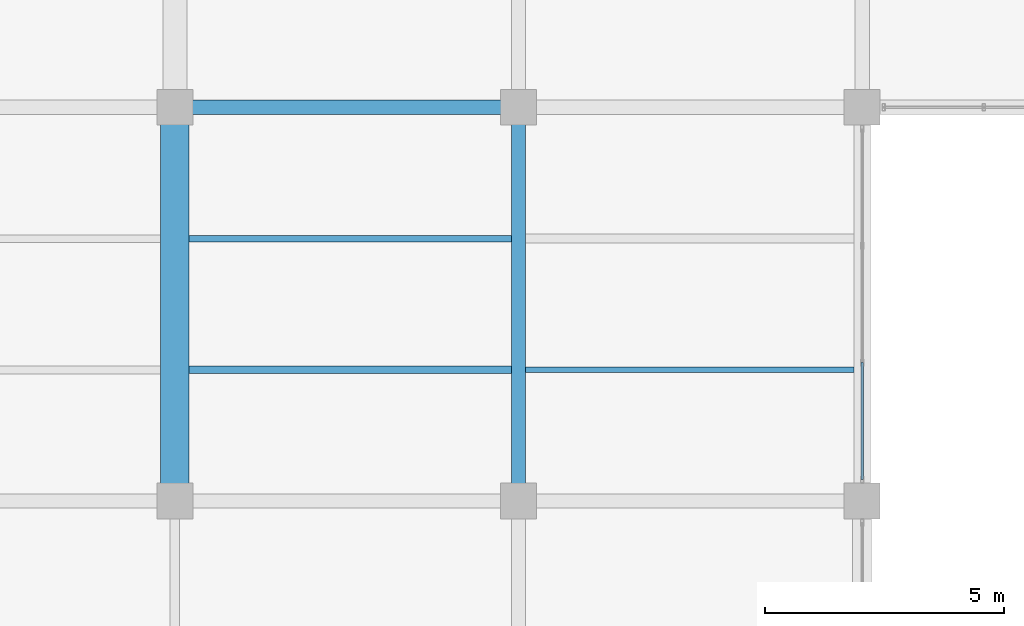
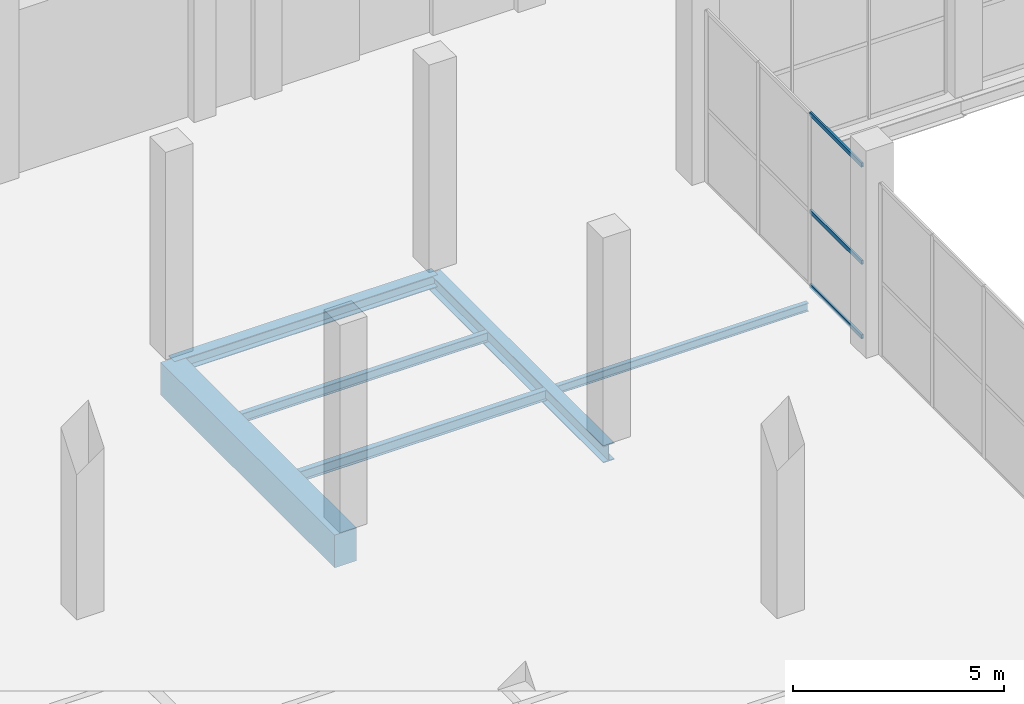
# One storey, part 74 of 144: 6 beams, 3 members, 1 element without a shape of its own.
"""IFC4 building model written with IfcOpenShell, lengths in metres."""

import ifcopenshell
import ifcopenshell.guid

model = None  # the IFC model being written
_history = None  # IfcOwnerHistory: only IFC2X3 demands one
_inside = {}  # id of a spatial element -> (the spatial element, [elements in it])
_under = {}  # id of a project, library or spatial element -> (it, [spatial elements below it])
_declared = {}  # id of a project -> (the project, [libraries it declares])
_typed = {}  # id of a type object -> (the type object, [elements of that type])
_made_of = {}  # id of a material, layer set ... -> (it, [elements and type objects made of it])


def new_model(schema):
    """Start an empty IFC model of exactly this schema.

    Asked for "IFC4X3", IfcOpenShell would pick the latest addendum, in which some entities
    have other attributes; the version numbers below select the first issue.
    IFC2X3 requires an IfcOwnerHistory on every rooted entity: one is made here for all.
    """
    global model, _history
    if schema == "IFC4X3":
        model = ifcopenshell.file(schema_version=(4, 3, 0, 0))
    else:
        model = ifcopenshell.file(schema=schema)
    _inside.clear()
    _under.clear()
    _declared.clear()
    _typed.clear()
    _made_of.clear()
    _history = None
    if model.schema == "IFC2X3":
        org = make("IfcOrganization", Name="unknown")
        user = make(
            "IfcPersonAndOrganization",
            ThePerson=make("IfcPerson", FamilyName="unknown"),
            TheOrganization=org,
        )
        app = make(
            "IfcApplication",
            ApplicationDeveloper=org,
            Version="unknown",
            ApplicationFullName="unknown",
            ApplicationIdentifier="unknown",
        )
        _history = make(
            "IfcOwnerHistory",
            OwningUser=user,
            OwningApplication=app,
            ChangeAction="ADDED",
            CreationDate=0,
        )
    return model


def make(cls, **values):
    """One entity of the class cls with the attributes given. An attribute that is None is left unset."""
    return model.create_entity(
        cls, **{name: value for name, value in values.items() if value is not None}
    )


def rooted(cls, **values):
    """An entity with a GlobalId (a new one), such as an element, a storey or a relation."""
    return make(cls, GlobalId=ifcopenshell.guid.new(), OwnerHistory=_history, **values)


def si_unit(unit_type, name, prefix=None):
    """IfcSIUnit, for example si_unit("LENGTHUNIT", "METRE", prefix="MILLI")."""
    return make("IfcSIUnit", UnitType=unit_type, Prefix=prefix, Name=name)


def assignment(units):
    """IfcUnitAssignment: the units of a project."""
    return None if units is None else make("IfcUnitAssignment", Units=units)


def point(xyz):
    """IfcCartesianPoint."""
    return None if xyz is None else make("IfcCartesianPoint", Coordinates=xyz)


def direction(xyz):
    """IfcDirection."""
    return None if xyz is None else make("IfcDirection", DirectionRatios=xyz)


def frame(location, z_axis=None, x_axis=None):
    """IfcAxis2Placement3D, a coordinate frame: its origin and axes. An axis left out is left unset."""
    return make(
        "IfcAxis2Placement3D",
        Location=point(location),
        Axis=direction(z_axis),
        RefDirection=direction(x_axis),
    )


def frame_2d(location, x_axis=None):
    """IfcAxis2Placement2D, a coordinate frame in the plane: its origin and x axis."""
    return make(
        "IfcAxis2Placement2D", Location=point(location), RefDirection=direction(x_axis)
    )


def origin():
    """The frame at (0, 0, 0) with its axes left unset."""
    return frame((0.0, 0.0, 0.0))


def origin_2d():
    """The frame at (0, 0) in the plane with its x axis left unset."""
    return frame_2d((0.0, 0.0))


def place(relative_to, where):
    """IfcLocalPlacement: puts the frame where relative to a parent placement (None: the world)."""
    return make(
        "IfcLocalPlacement", PlacementRelTo=relative_to, RelativePlacement=where
    )


def context(
    kind, dimensions, precision=None, world=None, true_north=None, identifier=None
):
    """IfcGeometricRepresentationContext, for example the 3D "Model" context."""
    return make(
        "IfcGeometricRepresentationContext",
        ContextIdentifier=identifier,
        ContextType=kind,
        CoordinateSpaceDimension=dimensions,
        Precision=precision,
        WorldCoordinateSystem=world,
        TrueNorth=true_north,
    )


def subcontext(parent, identifier, kind, view, scale=None):
    """IfcGeometricRepresentationSubContext, for example "Body" below "Model"."""
    return make(
        "IfcGeometricRepresentationSubContext",
        ContextIdentifier=identifier,
        ContextType=kind,
        ParentContext=parent,
        TargetScale=scale,
        TargetView=view,
    )


def project(units=None, contexts=None):
    """IfcProject with its units and contexts."""
    return rooted(
        "IfcProject",
        Name="project",
        RepresentationContexts=contexts,
        UnitsInContext=assignment(units),
    )


def spatial(cls, under=None, at=None, **own):
    """A site, building, storey or space (cls), placed at a placement, below another one or the project."""
    s = rooted(cls, ObjectPlacement=at, **own)
    if under is not None:
        _under.setdefault(under.id(), (under, []))[1].append(s)
    return s


def profile(cls, at=None, kind="AREA", **sizes):
    """A parametric profile (cls). Its sizes go by their IFC names, for example OverallWidth=200.0."""
    return make(cls, ProfileType=kind, Position=at, **sizes)


def rectangle(**sizes):
    """IfcRectangleProfileDef."""
    return profile("IfcRectangleProfileDef", **sizes)


def hollow_rectangle(**sizes):
    """IfcRectangleHollowProfileDef."""
    return profile("IfcRectangleHollowProfileDef", **sizes)


def i_section(**sizes):
    """IfcIShapeProfileDef."""
    return profile("IfcIShapeProfileDef", **sizes)


def extrude(swept, where, along, depth):
    """IfcExtrudedAreaSolid: the profile swept, set in the frame where, extruded along a direction by depth."""
    return make(
        "IfcExtrudedAreaSolid",
        SweptArea=swept,
        Position=where,
        ExtrudedDirection=direction(along),
        Depth=depth,
    )


def shape(context_of_items, identifier, shape_type, items):
    """IfcShapeRepresentation: the items that make up one representation, for example the "Body"."""
    return make(
        "IfcShapeRepresentation",
        ContextOfItems=context_of_items,
        RepresentationIdentifier=identifier,
        RepresentationType=shape_type,
        Items=items,
    )


def material(Name=None, Category=None):
    """IfcMaterial."""
    return make("IfcMaterial", Name=Name, Category=Category)


def layer(
    of_material, thickness, ventilated=None, Name=None, Category=None, Priority=None
):
    """IfcMaterialLayer: one layer of a wall or slab, of a material (None: an air gap)."""
    return make(
        "IfcMaterialLayer",
        Material=of_material,
        LayerThickness=thickness,
        IsVentilated=ventilated,
        Name=Name,
        Category=Category,
        Priority=Priority,
    )


def layer_set(layers, Name=None):
    """IfcMaterialLayerSet."""
    return make("IfcMaterialLayerSet", MaterialLayers=layers, LayerSetName=Name)


def material_profile(
    of_material, cross_section, Name=None, Category=None, Priority=None
):
    """IfcMaterialProfile: a cross section and its material."""
    return make(
        "IfcMaterialProfile",
        Name=Name,
        Material=of_material,
        Profile=cross_section,
        Priority=Priority,
        Category=Category,
    )


def profile_set(profiles, Name=None, composite=None):
    """IfcMaterialProfileSet."""
    return make(
        "IfcMaterialProfileSet",
        Name=Name,
        MaterialProfiles=profiles,
        CompositeProfile=composite,
    )


def made_of(thing, what):
    """Note that an element or type object is made of a material, layer set ...; save() writes the relation."""
    if what is not None:
        _made_of.setdefault(what.id(), (what, []))[1].append(thing)
    return thing


def type_object(cls, material=None, **own):
    """A type object (cls), such as IfcWallType, which elements share."""
    return made_of(rooted(cls, **own), material)


def element(
    cls,
    number,
    at=None,
    inside=None,
    cuts=None,
    type_object=None,
    material=None,
    context=None,
    identifier="Body",
    shape_type=None,
    held_by="IfcProductDefinitionShape",
    body=None,
    shapes=None,
    **own,
):
    """One element of the class cls, such as IfcWall. Its Tag is "e" and its number.

    at: its placement. inside: the storey or other place that contains it. cuts: it is an
    opening in that element (IfcRelVoidsElement). A single representation is given by context,
    identifier, shape_type and body (its items); several are given by shapes. held_by: the class
    of the entity that holds the representations. save() writes the other relations.
    """
    e = rooted(cls, Tag="e%d" % number, ObjectPlacement=at, **own)
    if body is not None:
        shapes = [shape(context, identifier, shape_type, body)]
    if shapes is not None:
        e.Representation = make(held_by, Representations=shapes)
    if inside is not None:
        _inside.setdefault(inside.id(), (inside, []))[1].append(e)
    if cuts is not None:
        rooted(
            "IfcRelVoidsElement", RelatingBuildingElement=cuts, RelatedOpeningElement=e
        )
    if type_object is not None:
        _typed.setdefault(type_object.id(), (type_object, []))[1].append(e)
    return made_of(e, material)


def aggregate(whole, parts):
    """IfcRelAggregates: a whole, such as a stair, and the parts it consists of."""
    return rooted("IfcRelAggregates", RelatingObject=whole, RelatedObjects=parts)


def save(model, path):
    """Write the relations noted so far, then the file.

    IfcRelAggregates (storeys below a building ...), IfcRelContainedInSpatialStructure (elements
    in a storey), IfcRelDefinesByType, IfcRelAssociatesMaterial and IfcRelDeclares: one each for
    every whole, place, type object, material and project.
    """
    for whole, parts in _under.values():
        aggregate(whole, parts)
    for where, things in _inside.values():
        rooted(
            "IfcRelContainedInSpatialStructure",
            RelatedElements=things,
            RelatingStructure=where,
        )
    for kind, things in _typed.values():
        rooted("IfcRelDefinesByType", RelatedObjects=things, RelatingType=kind)
    for what, things in _made_of.values():
        rooted("IfcRelAssociatesMaterial", RelatedObjects=things, RelatingMaterial=what)
    for by, libraries in _declared.values():
        rooted("IfcRelDeclares", RelatingContext=by, RelatedDefinitions=libraries)
    model.write(path)


model = new_model("IFC4")

# Units and contexts
model_context = context("Model", 3, precision=1e-05, world=origin(), true_north=direction((0.0, 1.0)))
body_context = subcontext(model_context, "Body", "Model", "MODEL_VIEW")
ifc_project = project(units=[si_unit("LENGTHUNIT", "METRE"), si_unit("AREAUNIT", "SQUARE_METRE"), si_unit("VOLUMEUNIT", "CUBIC_METRE"), si_unit("PLANEANGLEUNIT", "RADIAN"), si_unit("MASSUNIT", "GRAM", prefix="KILO")], contexts=[model_context])

# Site, building, storey
site_placement = place(None, origin())
site = spatial("IfcSite", under=ifc_project, at=site_placement, CompositionType="ELEMENT")
building_placement = place(site_placement, origin())
building = spatial("IfcBuilding", under=site, at=building_placement, Name="Sundgate Opera House", CompositionType="ELEMENT")
storey_placement = place(building_placement, origin())
storey = spatial("IfcBuildingStorey", under=building, at=storey_placement, Name="L00", CompositionType="ELEMENT", Elevation=0.0)

# Beams
ifc_material_1 = material(Name="Steel S355J2", Category="steel")
ifc_material_profile_1 = material_profile(ifc_material_1, i_section(OverallWidth=0.300048828125, OverallDepth=0.489990234375, WebThickness=0.011962890625, FlangeThickness=0.02294921875, at=origin_2d()), Name="HEA 500")
ifc_profile_set_1 = profile_set([ifc_material_profile_1], Name="Steel S355J2")
beam_type_1 = type_object("IfcBeamType", Name="BM-GR-HEA500", PredefinedType="BEAM", material=ifc_profile_set_1)
beam_1_placement = place(storey_placement, frame((117.0, 103.5, -0.56494140625), z_axis=(0.0, 1.0, 0.0), x_axis=(-1.0, 0.0, 0.0)))
element("IfcBeam", 1, at=beam_1_placement, inside=storey, type_object=beam_type_1, Name="L00 Primary N-S Girder B0244", PredefinedType="BEAM", context=body_context, shape_type="SweptSolid", body=[
    extrude(i_section(OverallWidth=0.300048828125, OverallDepth=0.489990234375, WebThickness=0.011962890625, FlangeThickness=0.02294921875, at=origin_2d()), origin(), (0.0, 0.0, 1.0), 8.25),
])
ifc_material_2 = material(Name="Steel S355J2", Category="steel")
ifc_material_profile_2 = material_profile(ifc_material_2, i_section(OverallWidth=0.300048828125, OverallDepth=0.360107421875, WebThickness=0.012451171875, FlangeThickness=0.0224609375, at=origin_2d()), Name="HEB 360")
ifc_profile_set_2 = profile_set([ifc_material_profile_2], Name="Steel S355J2")
beam_type_2 = type_object("IfcBeamType", Name="BM-GR-HEB360", PredefinedType="BEAM", material=ifc_profile_set_2)
beam_2_placement = place(storey_placement, frame((109.800048828125, 111.75, -0.5), z_axis=(1.0, 0.0, 0.0), x_axis=(0.0, 1.0, 0.0)))
element("IfcBeam", 2, at=beam_2_placement, inside=storey, type_object=beam_type_2, Name="L00 Primary E-W Girder B0571", PredefinedType="BEAM", context=body_context, shape_type="SweptSolid", body=[
    extrude(i_section(OverallWidth=0.300048828125, OverallDepth=0.360107421875, WebThickness=0.012451171875, FlangeThickness=0.0224609375, at=origin_2d()), origin(), (0.0, 0.0, 1.0), 7.199951171875),
])
ifc_material_3 = material(Name="Steel S355J2", Category="steel")
ifc_material_profile_3 = material_profile(ifc_material_3, i_section(OverallWidth=0.1201171875, OverallDepth=0.239990234375, WebThickness=0.006103515625, FlangeThickness=0.009765625, at=origin_2d()), Name="IPE 240")
ifc_profile_set_3 = profile_set([ifc_material_profile_3], Name="Steel S355J2")
beam_type_3 = type_object("IfcBeamType", Name="BM-JS-IPE240", PredefinedType="JOIST", material=ifc_profile_set_3)
beam_3_placement = place(storey_placement, frame((117.14990234375, 106.25, -0.43994140625), z_axis=(1.0, 0.0, 0.0), x_axis=(0.0, 1.0, 0.0)))
element("IfcBeam", 3, at=beam_3_placement, inside=storey, type_object=beam_type_3, Name="L00 Secondary Floor Joist B1014", PredefinedType="JOIST", context=body_context, shape_type="SweptSolid", body=[
    extrude(i_section(OverallWidth=0.1201171875, OverallDepth=0.239990234375, WebThickness=0.006103515625, FlangeThickness=0.009765625, at=origin_2d()), origin(), (0.0, 0.0, 1.0), 6.875),
])
ifc_material_4 = material(Name="Steel S355J2", Category="steel")
ifc_material_profile_4 = material_profile(ifc_material_4, i_section(OverallWidth=0.135009765625, OverallDepth=0.27001953125, WebThickness=0.006591796875, FlangeThickness=0.01025390625, at=origin_2d()), Name="IPE 270")
ifc_profile_set_4 = profile_set([ifc_material_profile_4], Name="Steel S355J2")
beam_type_4 = type_object("IfcBeamType", Name="BM-JS-IPE270", PredefinedType="JOIST", material=ifc_profile_set_4)
beam_4_placement = place(storey_placement, frame((110.10009765625, 109.0, -0.455078125), z_axis=(1.0, 0.0, 0.0), x_axis=(0.0, 1.0, 0.0)))
element("IfcBeam", 4, at=beam_4_placement, inside=storey, type_object=beam_type_4, Name="L00 Secondary Floor Joist B1013", PredefinedType="JOIST", context=body_context, shape_type="SweptSolid", body=[
    extrude(i_section(OverallWidth=0.135009765625, OverallDepth=0.27001953125, WebThickness=0.006591796875, FlangeThickness=0.01025390625, at=origin_2d()), origin(), (0.0, 0.0, 1.0), 6.75),
])
ifc_material_5 = material(Name="Steel S355J2", Category="steel")
ifc_material_profile_5 = material_profile(ifc_material_5, i_section(OverallWidth=0.14990234375, OverallDepth=0.300048828125, WebThickness=0.007080078125, FlangeThickness=0.0107421875, at=origin_2d()), Name="IPE 300")
ifc_profile_set_5 = profile_set([ifc_material_profile_5], Name="Steel S355J2")
beam_type_5 = type_object("IfcBeamType", Name="BM-JS-IPE300", PredefinedType="JOIST", material=ifc_profile_set_5)
beam_5_placement = place(storey_placement, frame((110.10009765625, 106.25, -0.469970703125), z_axis=(1.0, 0.0, 0.0), x_axis=(0.0, 1.0, 0.0)))
element("IfcBeam", 5, at=beam_5_placement, inside=storey, type_object=beam_type_5, Name="L00 Secondary Floor Joist B1012", PredefinedType="JOIST", context=body_context, shape_type="SweptSolid", body=[
    extrude(i_section(OverallWidth=0.14990234375, OverallDepth=0.300048828125, WebThickness=0.007080078125, FlangeThickness=0.0107421875, at=origin_2d()), origin(), (0.0, 0.0, 1.0), 6.75),
])
ifc_material_6 = material(Name="Concrete C40/50", Category="concrete")
ifc_material_profile_6 = material_profile(ifc_material_6, rectangle(XDim=0.60009765625, YDim=0.949951171875, at=origin_2d()), Name="RC 600x950")
ifc_profile_set_6 = profile_set([ifc_material_profile_6], Name="Concrete C40/50")
beam_type_6 = type_object("IfcBeamType", Name="BM-RC-600x950", PredefinedType="BEAM", material=ifc_profile_set_6)
beam_6_placement = place(storey_placement, frame((109.800048828125, 103.5, -0.794921875), z_axis=(0.0, 1.0, 0.0), x_axis=(-1.0, 0.0, 0.0)))
element("IfcBeam", 6, at=beam_6_placement, inside=storey, type_object=beam_type_6, Name="L00 Primary N-S Girder B0230", PredefinedType="BEAM", context=body_context, shape_type="SweptSolid", body=[
    extrude(rectangle(XDim=0.60009765625, YDim=0.949951171875, at=origin_2d()), origin(), (0.0, 0.0, 1.0), 8.25),
])

# Curtain wall, members
ifc_material_7 = material(Name="Anodized aluminium and low-iron glass", Category="aluminium")
ifc_layer = layer(ifc_material_7, 0.159912109375)
ifc_layer_set = layer_set([ifc_layer], Name="Anodized aluminium and low-iron glass")
curtain_wall_type = type_object("IfcCurtainWallType", Name="CW-STUDIO-DARK", PredefinedType="NOTDEFINED", material=ifc_layer_set)
curtain_wall_placement = place(storey_placement, origin())
curtain_wall = element("IfcCurtainWall", 7, at=curtain_wall_placement, inside=storey, type_object=curtain_wall_type, Name="L00 Curtain Wall CW092", PredefinedType="NOTDEFINED")
ifc_material_8 = material(Name="Anodized aluminium EN AW-6063", Category="aluminium")
ifc_material_profile_7 = material_profile(ifc_material_8, hollow_rectangle(XDim=0.054931640625, YDim=0.1201171875, WallThickness=0.00390625, at=origin_2d()), Name="CWT 120x55x4")
ifc_profile_set_7 = profile_set([ifc_material_profile_7], Name="Anodized aluminium EN AW-6063")
member_type = type_object("IfcMemberType", Name="CWT-ALU-120x55", PredefinedType="USERDEFINED", material=ifc_profile_set_7)
member_1_placement = place(storey_placement, frame((124.199951171875, 103.949951171875, 0.0), z_axis=(0.0, 1.0, 0.0), x_axis=(-1.0, 0.0, 0.0)))
member_1 = element("IfcMember", 8, at=member_1_placement, type_object=member_type, Name="CW092 Transom 1", ObjectType="TRANSOM", PredefinedType="USERDEFINED", context=body_context, shape_type="SweptSolid", body=[
    extrude(hollow_rectangle(XDim=0.054931640625, YDim=0.1201171875, WallThickness=0.00390625, at=origin_2d()), origin(), (0.0, 0.0, 1.0), 2.449951171875),
])
member_2_placement = place(storey_placement, frame((124.199951171875, 103.949951171875, 2.14990234375), z_axis=(0.0, 1.0, 0.0), x_axis=(-1.0, 0.0, 0.0)))
member_2 = element("IfcMember", 9, at=member_2_placement, type_object=member_type, Name="CW092 Transom 2", ObjectType="TRANSOM", PredefinedType="USERDEFINED", context=body_context, shape_type="SweptSolid", body=[
    extrude(hollow_rectangle(XDim=0.054931640625, YDim=0.1201171875, WallThickness=0.00390625, at=origin_2d()), origin(), (0.0, 0.0, 1.0), 2.449951171875),
])
member_3_placement = place(storey_placement, frame((124.199951171875, 103.949951171875, 4.965087890625), z_axis=(0.0, 1.0, 0.0), x_axis=(-1.0, 0.0, 0.0)))
member_3 = element("IfcMember", 10, at=member_3_placement, type_object=member_type, Name="CW092 Transom 3", ObjectType="TRANSOM", PredefinedType="USERDEFINED", context=body_context, shape_type="SweptSolid", body=[
    extrude(hollow_rectangle(XDim=0.054931640625, YDim=0.1201171875, WallThickness=0.00390625, at=origin_2d()), origin(), (0.0, 0.0, 1.0), 2.449951171875),
])
aggregate(curtain_wall, [member_1, member_2, member_3])

save(model, "model.ifc")
